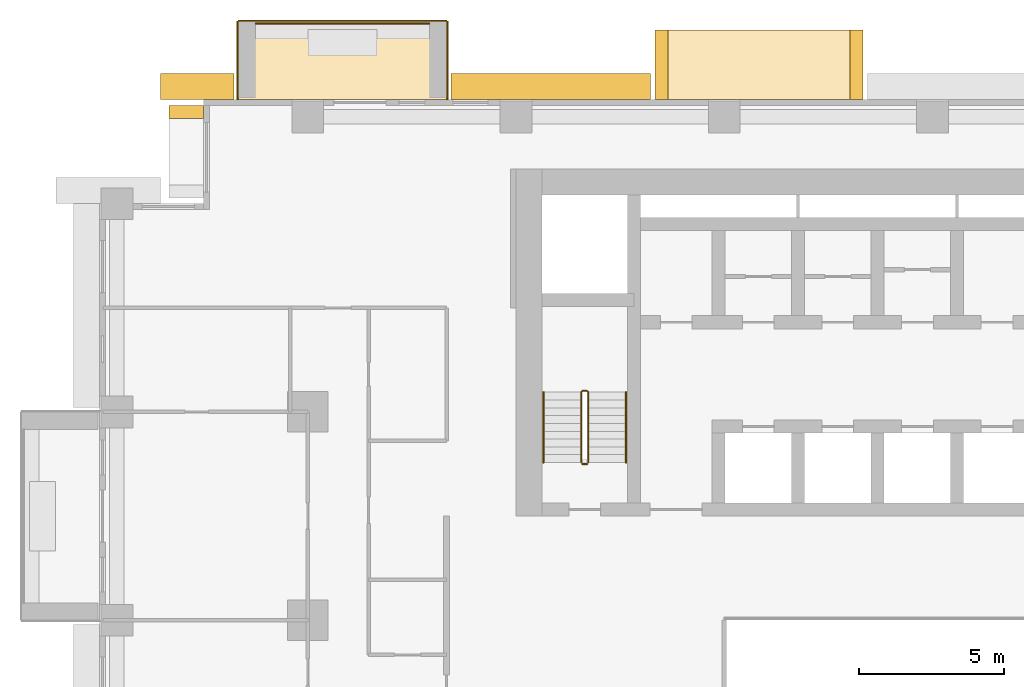
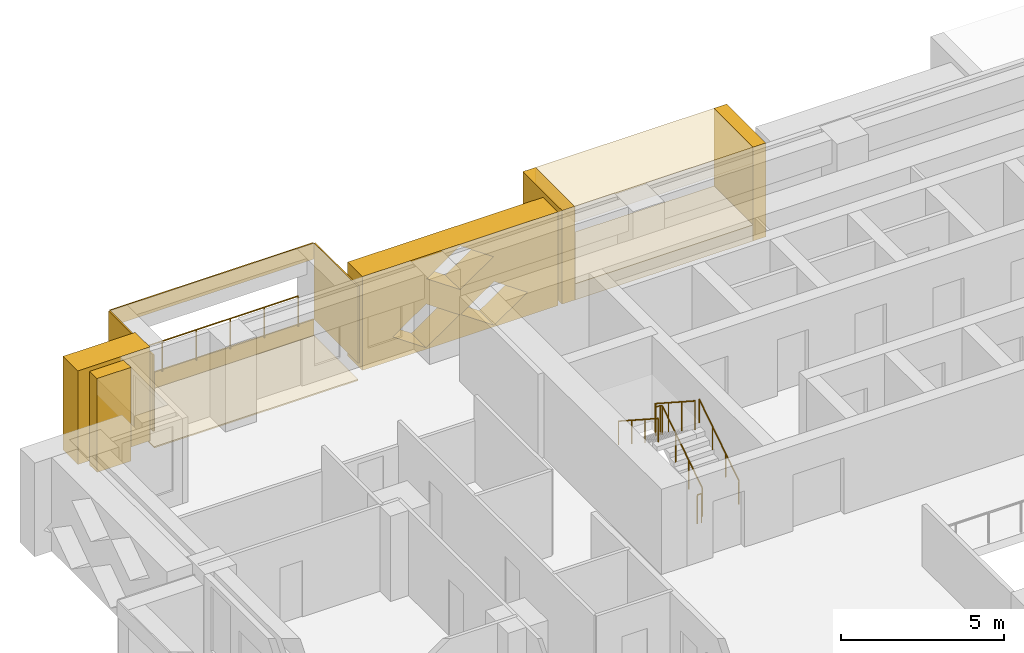
# One storey, part 15 of 17: 12 coverings, 5 railings.
"""IFC4 building model written with IfcOpenShell, lengths in metres."""

from ifc_helpers import new_model, si_unit, direction, frame, origin, origin_2d, place, context, subcontext, project, spatial, polyline, circle, outline, extrude, material, layer, layer_set, type_object, element, save


model = new_model("IFC4")

# Units and contexts
model_context = context("Model", 3, precision=1e-05, world=origin(), true_north=direction((0.0, 1.0)))
body_context = subcontext(model_context, "Body", "Model", "MODEL_VIEW")
ifc_project = project(units=[si_unit("LENGTHUNIT", "METRE"), si_unit("AREAUNIT", "SQUARE_METRE"), si_unit("VOLUMEUNIT", "CUBIC_METRE"), si_unit("PLANEANGLEUNIT", "RADIAN"), si_unit("MASSUNIT", "GRAM", prefix="KILO")], contexts=[model_context])

# Site, building, storey
site_placement = place(None, origin())
site = spatial("IfcSite", under=ifc_project, at=site_placement, CompositionType="ELEMENT")
building_placement = place(site_placement, origin())
building = spatial("IfcBuilding", under=site, at=building_placement, Name="Saffron Iwan Residences", CompositionType="ELEMENT")
storey_placement = place(building_placement, frame((0.0, 0.0, 58.5)))
storey = spatial("IfcBuildingStorey", under=building, at=storey_placement, Name="L14", CompositionType="ELEMENT", Elevation=58.5)

# Railing
ifc_material_1 = material(Name="Stainless steel 316", Category="steel")
railing_type_1 = type_object("IfcRailingType", Name="BALCONY GUARD 1150", PredefinedType="GUARDRAIL", material=ifc_material_1)
railing_1_placement = place(storey_placement, frame((25.800048828125, 83.02490234375, 0.0)))
element("IfcRailing", 1, at=railing_1_placement, inside=storey, type_object=railing_type_1, Name="Balcony guard L14 F5-3", PredefinedType="GUARDRAIL", context=body_context, shape_type="SweptSolid", body=[
    extrude(circle(Radius=0.02392578125, at=origin_2d()), frame((0.0, 0.0, 1.1259765625), z_axis=(-1.0, 0.0, 0.0), x_axis=(0.0, -1.0, 0.0)), (0.0, 0.0, 1.0), 6.0),
    extrude(circle(Radius=0.02099609375, at=origin_2d()), origin(), (0.0, 0.0, 1.0), 1.101806640625),
    extrude(circle(Radius=0.02099609375, at=origin_2d()), frame((-1.199951171875, 0.0, 0.0)), (0.0, 0.0, 1.0), 1.101806640625),
    extrude(circle(Radius=0.02099609375, at=origin_2d()), frame((-2.39990234375, 0.0, 0.0)), (0.0, 0.0, 1.0), 1.101806640625),
    extrude(circle(Radius=0.02099609375, at=origin_2d()), frame((-3.60009765625, 0.0, 0.0)), (0.0, 0.0, 1.0), 1.101806640625),
    extrude(circle(Radius=0.02099609375, at=origin_2d()), frame((-4.800048828125, 0.0, 0.0)), (0.0, 0.0, 1.0), 1.101806640625),
    extrude(circle(Radius=0.02099609375, at=origin_2d()), frame((-6.0, 0.0, 0.0)), (0.0, 0.0, 1.0), 1.101806640625),
])

# Coverings
ifc_material_2 = material(Name="Precast concrete C40/50 white painted", Category="concrete")
ifc_layer = layer(ifc_material_2, 0.050048828125)
ifc_layer_set = layer_set([ifc_layer], Name="Precast concrete C40/50 white painted")
covering_type_1 = type_object("IfcCoveringType", Name="FRAME SKIN PRECAST WHITE 50", PredefinedType="CLADDING", material=ifc_layer_set)
for number, where, name in (
    (2, (0.0, 0.0, -0.60009765625), "Frame skin slab edge L14 F5-3"),
    (3, (0.0, 0.0, 2.25), "Frame skin fascia L14 F5-3"),
):
    element("IfcCovering", number, at=place(storey_placement, frame(where)), inside=storey, type_object=covering_type_1, Name=name, PredefinedType="CLADDING", context=body_context, shape_type="SweptSolid", body=[
        extrude(outline(polyline([(26.39990234375, 83.14990234375), (19.199951171875, 83.14990234375), (19.199951171875, 83.10009765625), (26.39990234375, 83.10009765625), (26.39990234375, 83.14990234375)])), origin(), (0.0, 0.0, 1.0), 0.60009765625),
    ])
covering_1_placement = place(storey_placement, frame((0.0, 0.0, -0.64990234375)))
element("IfcCovering", 4, at=covering_1_placement, inside=storey, type_object=covering_type_1, Name="Frame skin soffit L14 F5-3", PredefinedType="CLADDING", context=body_context, shape_type="SweptSolid", body=[
    extrude(outline(polyline([(26.39990234375, 83.10009765625), (19.199951171875, 83.10009765625), (19.199951171875, 80.39990234375), (26.39990234375, 80.39990234375), (26.39990234375, 83.10009765625)])), origin(), (0.0, 0.0, 1.0), 0.0498046875),
])
covering_2_placement = place(storey_placement, origin())
element("IfcCovering", 5, at=covering_2_placement, inside=storey, type_object=covering_type_1, Name="Frame skin fin L14 F5-3a", PredefinedType="CLADDING", context=body_context, shape_type="SweptSolid", body=[
    extrude(outline(polyline([(26.449951171875, 83.10009765625), (26.39990234375, 83.10009765625), (26.39990234375, 80.39990234375), (26.449951171875, 80.39990234375), (26.449951171875, 83.10009765625)])), origin(), (0.0, 0.0, 1.0), 2.85009765625),
])
covering_3_placement = place(storey_placement, origin())
element("IfcCovering", 6, at=covering_3_placement, inside=storey, type_object=covering_type_1, Name="Frame skin fin L14 F5-3b", PredefinedType="CLADDING", context=body_context, shape_type="SweptSolid", body=[
    extrude(outline(polyline([(19.199951171875, 83.10009765625), (19.14990234375, 83.10009765625), (19.14990234375, 80.39990234375), (19.199951171875, 80.39990234375), (19.199951171875, 83.10009765625)])), origin(), (0.0, 0.0, 1.0), 2.85009765625),
])
ifc_material_3 = material(Name="Precast concrete C40/50", Category="concrete")
covering_type_2 = type_object("IfcCoveringType", Name="OUTER SKIN LATTICE SCREEN", PredefinedType="CLADDING", material=ifc_material_3)
covering_4_placement = place(storey_placement, frame((33.449951171875, 80.39990234375, -0.320068359375), z_axis=(0.0, 1.0, 0.0), x_axis=(-1.0, 0.0, 0.0)))
element("IfcCovering", 7, at=covering_4_placement, inside=storey, type_object=covering_type_2, Name="OUTER SKIN lattice screen L14 F5.3", PredefinedType="CLADDING", context=body_context, shape_type="SweptSolid", body=[
    extrude(outline(polyline([(0.0, 0.0), (6.89990234375, 0.0), (6.89990234375, 3.5), (0.0, 3.5), (0.0, 0.0)]), holes=[polyline([(1.070068359375, 0.875), (2.25, 0.06005859375), (3.429931640625, 0.875), (2.25, 1.68994140625), (1.070068359375, 0.875)]), polyline([(3.469970703125, 0.875), (4.64990234375, 0.06005859375), (5.830078125, 0.875), (4.64990234375, 1.68994140625), (3.469970703125, 0.875)]), polyline([(2.27001953125, 2.625), (3.449951171875, 1.81005859375), (4.6298828125, 2.625), (3.449951171875, 3.43994140625), (2.27001953125, 2.625)])]), origin(), (0.0, 0.0, 1.0), 0.900146484375),
])
covering_5_placement = place(storey_placement, frame((19.050048828125, 80.39990234375, -0.320068359375), z_axis=(0.0, 1.0, 0.0), x_axis=(-1.0, 0.0, 0.0)))
element("IfcCovering", 8, at=covering_5_placement, inside=storey, type_object=covering_type_2, Name="OUTER SKIN lattice screen L14 F5.4", PredefinedType="CLADDING", context=body_context, shape_type="SweptSolid", body=[
    extrude(outline(polyline([(0.0, 0.0), (2.550048828125, 0.0), (2.550048828125, 3.5), (0.0, 3.5), (0.0, 0.0)])), origin(), (0.0, 0.0, 1.0), 0.900146484375),
])

# Railings
ifc_material_4 = material(Name="Steel S355", Category="steel")
railing_type_2 = type_object("IfcRailingType", Name="Stair guard 1100", PredefinedType="GUARDRAIL", material=ifc_material_4)
railing_2_placement = place(storey_placement, frame((31.300048828125, 67.85009765625, 0.175048828125)))
element("IfcRailing", 9, at=railing_2_placement, inside=storey, type_object=railing_type_2, Name="L14 ST-W stair guard 1", PredefinedType="GUARDRAIL", context=body_context, shape_type="SweptSolid", body=[
    extrude(circle(Radius=0.02392578125, at=origin_2d()), frame((0.0, 0.0, 1.076171875), z_axis=(0.0, 0.839153699163, 0.543894354798), x_axis=(-1.0, 0.0, 0.0)), (0.0, 0.0, 1.0), 2.895751953125),
    extrude(circle(Radius=0.02392578125, at=origin_2d()), frame((0.0, 2.429931640625, 2.65087890625), z_axis=(-0.707106781187, 0.707106781187, 0.0), x_axis=(-0.707106781187, -0.707106781187, 0.0)), (0.0, 0.0, 1.0), 0.07080078125),
    extrude(circle(Radius=0.02392578125, at=origin_2d()), frame((-0.050048828125, 2.47998046875, 2.65087890625), z_axis=(-1.0, 0.0, 0.0), x_axis=(0.0, -1.0, 0.0)), (0.0, 0.0, 1.0), 0.14990234375),
    extrude(circle(Radius=0.02392578125, at=origin_2d()), frame((-0.199951171875, 2.47998046875, 2.65087890625), z_axis=(-0.265065253269, -0.265065253269, 0.927081885822), x_axis=(0.707106781187, -0.707106781187, 0.0)), (0.0, 0.0, 1.0), 0.188720703125),
    extrude(circle(Radius=0.02392578125, at=origin_2d()), frame((-0.25, 2.429931640625, 2.826171875), z_axis=(0.0, -0.839153699163, 0.543894354798), x_axis=(1.0, 0.0, 0.0)), (0.0, 0.0, 1.0), 2.895751953125),
    extrude(circle(Radius=0.02099609375, at=origin_2d()), origin(), (0.0, 0.0, 1.0), 1.052001953125),
    extrude(circle(Radius=0.02099609375, at=origin_2d()), frame((0.0, 0.81005859375, 0.52490234375)), (0.0, 0.0, 1.0), 1.052001953125),
    extrude(circle(Radius=0.02099609375, at=origin_2d()), frame((0.0, 1.619873046875, 1.050048828125)), (0.0, 0.0, 1.0), 1.052001953125),
    extrude(circle(Radius=0.02099609375, at=origin_2d()), frame((0.0, 2.429931640625, 1.574951171875)), (0.0, 0.0, 1.0), 1.052001953125),
    extrude(circle(Radius=0.02099609375, at=origin_2d()), frame((-0.050048828125, 2.47998046875, 1.574951171875)), (0.0, 0.0, 1.0), 1.052001953125),
    extrude(circle(Radius=0.02099609375, at=origin_2d()), frame((-0.199951171875, 2.47998046875, 1.574951171875)), (0.0, 0.0, 1.0), 1.052001953125),
    extrude(circle(Radius=0.02099609375, at=origin_2d()), frame((-0.25, 2.429931640625, 1.75)), (0.0, 0.0, 1.0), 1.052001953125),
    extrude(circle(Radius=0.02099609375, at=origin_2d()), frame((-0.25, 1.619873046875, 2.27490234375)), (0.0, 0.0, 1.0), 1.052001953125),
    extrude(circle(Radius=0.02099609375, at=origin_2d()), frame((-0.25, 0.81005859375, 2.800048828125)), (0.0, 0.0, 1.0), 1.052001953125),
    extrude(circle(Radius=0.02099609375, at=origin_2d()), frame((-0.25, 0.0, 3.324951171875)), (0.0, 0.0, 1.0), 1.052001953125),
])
railing_3_placement = place(storey_placement, frame((31.25, 67.800048828125, 0.0)))
element("IfcRailing", 10, at=railing_3_placement, inside=storey, type_object=railing_type_2, Name="L14 ST-W stair guard 2", PredefinedType="GUARDRAIL", context=body_context, shape_type="SweptSolid", body=[
    extrude(circle(Radius=0.02392578125, at=origin_2d()), frame((0.0, 0.0, 1.076171875), z_axis=(-1.0, 0.0, 0.0), x_axis=(0.0, -1.0, 0.0)), (0.0, 0.0, 1.0), 0.14990234375),
    extrude(circle(Radius=0.02099609375, at=origin_2d()), origin(), (0.0, 0.0, 1.0), 1.052001953125),
    extrude(circle(Radius=0.02099609375, at=origin_2d()), frame((-0.14990234375, 0.0, 0.0)), (0.0, 0.0, 1.0), 1.052001953125),
])
railing_type_3 = type_object("IfcRailingType", Name="Stair handrail 900", PredefinedType="HANDRAIL", material=ifc_material_1)
railing_4_placement = place(storey_placement, frame((32.60009765625, 67.85009765625, 0.175048828125)))
element("IfcRailing", 11, at=railing_4_placement, inside=storey, type_object=railing_type_3, Name="L14 ST-W stair handrail 1", PredefinedType="HANDRAIL", context=body_context, shape_type="SweptSolid", body=[
    extrude(circle(Radius=0.02392578125, at=origin_2d()), frame((0.0, 0.0, 0.8759765625), z_axis=(0.0, 0.839153699163, 0.543894354798), x_axis=(-1.0, 0.0, 0.0)), (0.0, 0.0, 1.0), 2.895751953125),
    extrude(circle(Radius=0.02099609375, at=origin_2d()), origin(), (0.0, 0.0, 1.0), 0.851806640625),
    extrude(circle(Radius=0.02099609375, at=origin_2d()), frame((0.0, 0.81005859375, 0.52490234375)), (0.0, 0.0, 1.0), 0.851806640625),
    extrude(circle(Radius=0.02099609375, at=origin_2d()), frame((0.0, 1.619873046875, 1.050048828125)), (0.0, 0.0, 1.0), 0.851806640625),
    extrude(circle(Radius=0.02099609375, at=origin_2d()), frame((0.0, 2.429931640625, 1.574951171875)), (0.0, 0.0, 1.0), 0.851806640625),
])
railing_5_placement = place(storey_placement, frame((29.75, 70.280029296875, 1.925048828125)))
element("IfcRailing", 12, at=railing_5_placement, inside=storey, type_object=railing_type_3, Name="L14 ST-W stair handrail 2", PredefinedType="HANDRAIL", context=body_context, shape_type="SweptSolid", body=[
    extrude(circle(Radius=0.02392578125, at=origin_2d()), frame((0.0, 0.0, 0.8759765625), z_axis=(0.0, -0.839153699163, 0.543894354798), x_axis=(1.0, 0.0, 0.0)), (0.0, 0.0, 1.0), 2.895751953125),
    extrude(circle(Radius=0.02099609375, at=origin_2d()), origin(), (0.0, 0.0, 1.0), 0.851806640625),
    extrude(circle(Radius=0.02099609375, at=origin_2d()), frame((0.0, -0.81005859375, 0.52490234375)), (0.0, 0.0, 1.0), 0.851806640625),
    extrude(circle(Radius=0.02099609375, at=origin_2d()), frame((0.0, -1.619873046875, 1.050048828125)), (0.0, 0.0, 1.0), 0.851806640625),
    extrude(circle(Radius=0.02099609375, at=origin_2d()), frame((0.0, -2.429931640625, 1.574951171875)), (0.0, 0.0, 1.0), 0.851806640625),
])

# Coverings
covering_type_3 = type_object("IfcCoveringType", Name="WHITE SUN FRAME PRECAST", PredefinedType="CLADDING", material=ifc_material_2)
for number, where, z_axis, x_axis, name in (
    (13, (40.800048828125, 80.39990234375, -0.320068359375), (0.0, 1.0, 0.0), (-1.0, 0.0, 0.0), "Sun frame L14 F5 42.0a"),
    (14, (34.050048828125, 80.39990234375, -0.320068359375), (0.0, 1.0, 0.0), (-1.0, 0.0, 0.0), "Sun frame L14 F5 42.0b"),
):
    element("IfcCovering", number, at=place(storey_placement, frame(where, z_axis=z_axis, x_axis=x_axis)), inside=storey, type_object=covering_type_3, Name=name, PredefinedType="CLADDING", context=body_context, shape_type="SweptSolid", body=[
        extrude(outline(polyline([(0.0, 0.0), (0.449951171875, 0.0), (0.449951171875, 3.5), (0.0, 3.5), (0.0, 0.0)])), origin(), (0.0, 0.0, 1.0), 2.400146484375),
    ])
for number, where, z_axis, x_axis, name in (
    (15, (40.35009765625, 80.39990234375, 2.580078125), (0.0, 1.0, 0.0), (-1.0, 0.0, 0.0), "Sun frame L14 F5 42.0h"),
    (16, (40.35009765625, 80.39990234375, -0.320068359375), (0.0, 1.0, 0.0), (-1.0, 0.0, 0.0), "Sun frame L14 F5 42.0s"),
):
    element("IfcCovering", number, at=place(storey_placement, frame(where, z_axis=z_axis, x_axis=x_axis)), inside=storey, type_object=covering_type_3, Name=name, PredefinedType="CLADDING", context=body_context, shape_type="SweptSolid", body=[
        extrude(outline(polyline([(0.0, 0.0), (6.300048828125, 0.0), (6.300048828125, 0.60009765625), (0.0, 0.60009765625), (0.0, 0.0)])), origin(), (0.0, 0.0, 1.0), 2.400146484375),
    ])
covering_6_placement = place(storey_placement, frame((18.0, 80.199951171875, -0.320068359375), z_axis=(-1.0, 0.0, 0.0), x_axis=(0.0, -1.0, 0.0)))
element("IfcCovering", 17, at=covering_6_placement, inside=storey, type_object=covering_type_3, Name="Sun frame L14 F6 0.2a", PredefinedType="CLADDING", context=body_context, shape_type="SweptSolid", body=[
    extrude(outline(polyline([(0.0, 0.0), (0.449951171875, 0.0), (0.449951171875, 3.5), (0.0, 3.5), (0.0, 0.0)])), origin(), (0.0, 0.0, 1.0), 1.199951171875),
])

save(model, "model.ifc")
